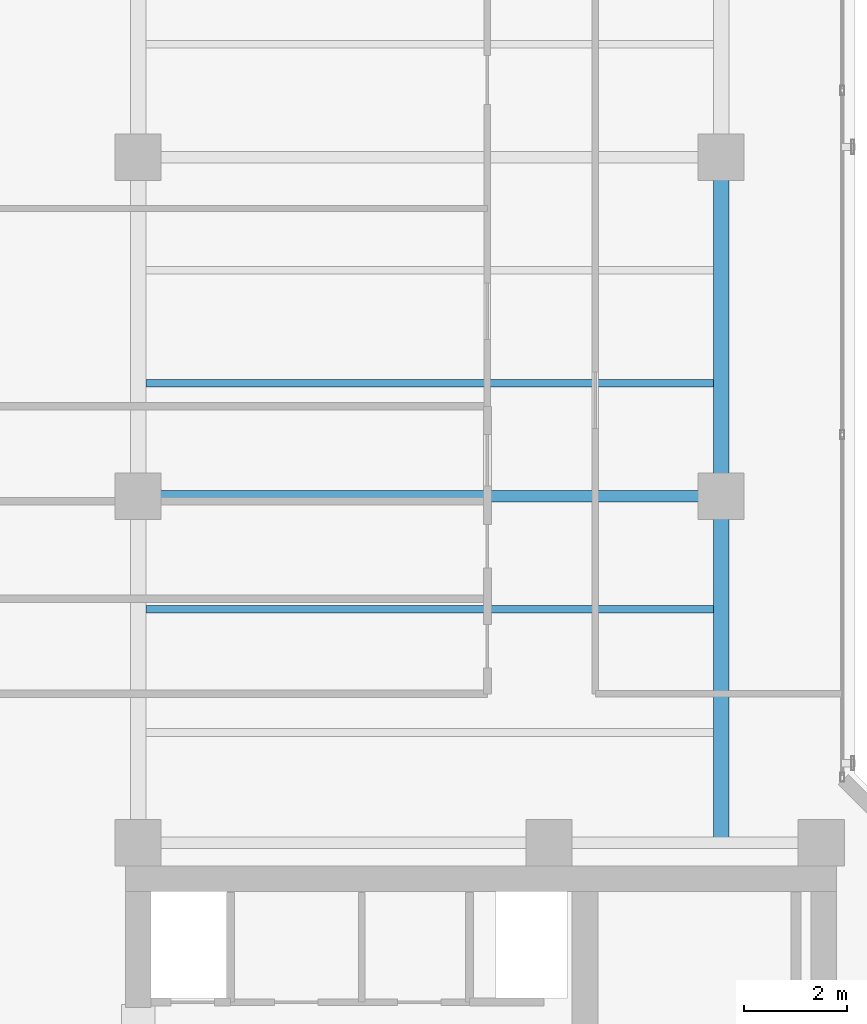
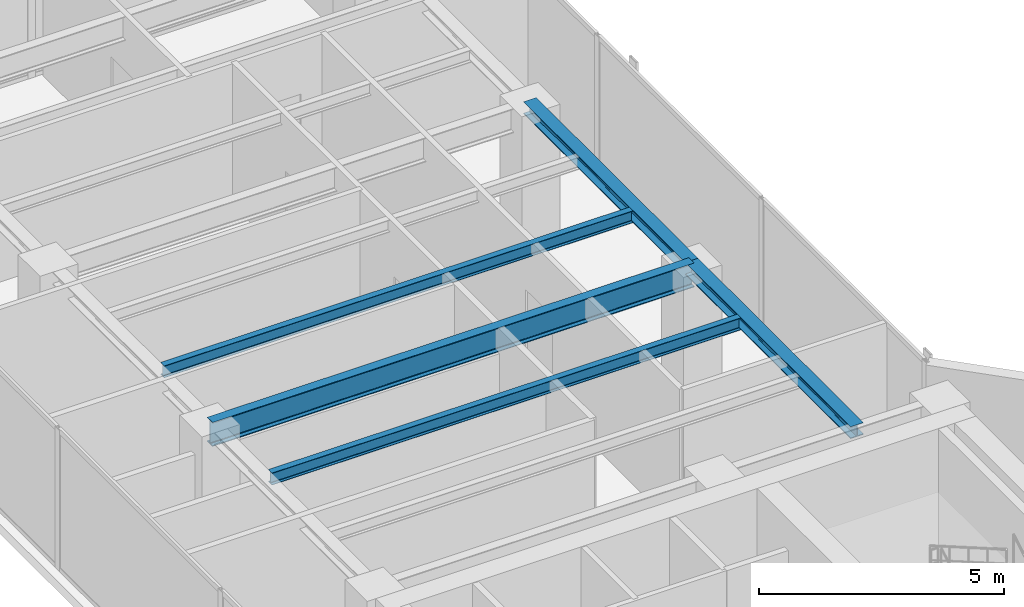
# One storey, part 12 of 32: 5 beams.
"""IFC4 building model written with IfcOpenShell, lengths in metres."""

from ifc_helpers import new_model, si_unit, direction, frame, origin, origin_2d, place, context, subcontext, project, spatial, i_section, extrude, material, material_profile, profile_set, type_object, element, save


model = new_model("IFC4")

# Units and contexts
model_context = context("Model", 3, precision=1e-05, world=origin(), true_north=direction((0.0, 1.0)))
body_context = subcontext(model_context, "Body", "Model", "MODEL_VIEW")
ifc_project = project(units=[si_unit("LENGTHUNIT", "METRE"), si_unit("AREAUNIT", "SQUARE_METRE"), si_unit("VOLUMEUNIT", "CUBIC_METRE"), si_unit("PLANEANGLEUNIT", "RADIAN"), si_unit("MASSUNIT", "GRAM", prefix="KILO")], contexts=[model_context])

# Site, building, storey
site_placement = place(None, origin())
site = spatial("IfcSite", under=ifc_project, at=site_placement, CompositionType="ELEMENT")
building_placement = place(site_placement, origin())
building = spatial("IfcBuilding", under=site, at=building_placement, Name="Kolvaren Waterfront Exchange", CompositionType="ELEMENT")
storey_placement = place(building_placement, frame((0.0, 0.0, 348.10009765625)))
storey = spatial("IfcBuildingStorey", under=building, at=storey_placement, Name="L89", CompositionType="ELEMENT", Elevation=348.10009765625)

# Beams
ifc_material = material(Name="Steel S355", Category="steel")
ifc_material_profile_1 = material_profile(ifc_material, i_section(OverallWidth=0.300048828125, OverallDepth=0.300048828125, WebThickness=0.010986328125, FlangeThickness=0.01904296875, FilletRadius=0.027099609375, at=origin_2d()), Name="HEB300")
ifc_profile_set_1 = profile_set([ifc_material_profile_1], Name="Steel S355")
beam_type_1 = type_object("IfcBeamType", Name="STR-BM-HEB300", PredefinedType="SPANDREL", material=ifc_profile_set_1)
beam_1_placement = place(storey_placement, frame((18.800048828125, 24.449951171875, 3.369873046875), z_axis=(0.0, 1.0, 0.0), x_axis=(-1.0, 0.0, 0.0)))
element("IfcBeam", 1, at=beam_1_placement, inside=storey, type_object=beam_type_1, Name="L89 north-arm edge beam 1", PredefinedType="SPANDREL", context=body_context, shape_type="SweptSolid", body=[
    extrude(i_section(OverallWidth=0.300048828125, OverallDepth=0.300048828125, WebThickness=0.010986328125, FlangeThickness=0.01904296875, FilletRadius=0.027099609375, at=origin_2d()), origin(), (0.0, 0.0, 1.0), 6.75),
])
beam_2_placement = place(storey_placement, frame((18.800048828125, 31.199951171875, 3.369873046875), z_axis=(0.0, 1.0, 0.0), x_axis=(-1.0, 0.0, 0.0)))
element("IfcBeam", 2, at=beam_2_placement, inside=storey, type_object=beam_type_1, Name="L89 north-arm edge beam 2", PredefinedType="SPANDREL", context=body_context, shape_type="SweptSolid", body=[
    extrude(i_section(OverallWidth=0.300048828125, OverallDepth=0.300048828125, WebThickness=0.010986328125, FlangeThickness=0.01904296875, FilletRadius=0.027099609375, at=origin_2d()), origin(), (0.0, 0.0, 1.0), 6.60009765625),
])
ifc_material_profile_2 = material_profile(ifc_material, i_section(OverallWidth=0.14990234375, OverallDepth=0.300048828125, WebThickness=0.007080078125, FlangeThickness=0.0107421875, FilletRadius=0.014892578125, at=origin_2d()), Name="IPE300")
ifc_profile_set_2 = profile_set([ifc_material_profile_2], Name="Steel S355")
beam_type_2 = type_object("IfcBeamType", Name="STR-BM-IPE300", PredefinedType="JOIST", material=ifc_profile_set_2)
for number, where, z_axis, x_axis, name in (
    (3, (7.60205078125, 29.0, 3.369873046875), (1.0, 0.0, 0.0), (0.0, 1.0, 0.0), "L89 north-arm composite joist 2"),
    (4, (7.60205078125, 33.39990234375, 3.369873046875), (1.0, 0.0, 0.0), (0.0, 1.0, 0.0), "L89 north-arm composite joist 3"),
):
    element("IfcBeam", number, at=place(storey_placement, frame(where, z_axis=z_axis, x_axis=x_axis)), inside=storey, type_object=beam_type_2, Name=name, PredefinedType="JOIST", context=body_context, shape_type="SweptSolid", body=[
        extrude(i_section(OverallWidth=0.14990234375, OverallDepth=0.300048828125, WebThickness=0.007080078125, FlangeThickness=0.0107421875, FilletRadius=0.014892578125, at=origin_2d()), origin(), (0.0, 0.0, 1.0), 11.0458984375),
    ])
ifc_material_profile_3 = material_profile(ifc_material, i_section(OverallWidth=0.219970703125, OverallDepth=0.60009765625, WebThickness=0.011962890625, FlangeThickness=0.01904296875, FilletRadius=0.02392578125, at=origin_2d()), Name="IPE600")
ifc_profile_set_3 = profile_set([ifc_material_profile_3], Name="Steel S355")
beam_type_3 = type_object("IfcBeamType", Name="STR-BM-IPE600", PredefinedType="BEAM", material=ifc_profile_set_3)
beam_3_placement = place(storey_placement, frame((7.449951171875, 31.199951171875, 3.219970703125), z_axis=(1.0, 0.0, 0.0), x_axis=(0.0, 1.0, 0.0)))
element("IfcBeam", 5, at=beam_3_placement, inside=storey, type_object=beam_type_3, Name="L89 north-arm girder 2", PredefinedType="BEAM", context=body_context, shape_type="SweptSolid", body=[
    extrude(i_section(OverallWidth=0.219970703125, OverallDepth=0.60009765625, WebThickness=0.011962890625, FlangeThickness=0.01904296875, FilletRadius=0.02392578125, at=origin_2d()), origin(), (0.0, 0.0, 1.0), 11.35009765625),
])

save(model, "model.ifc")
